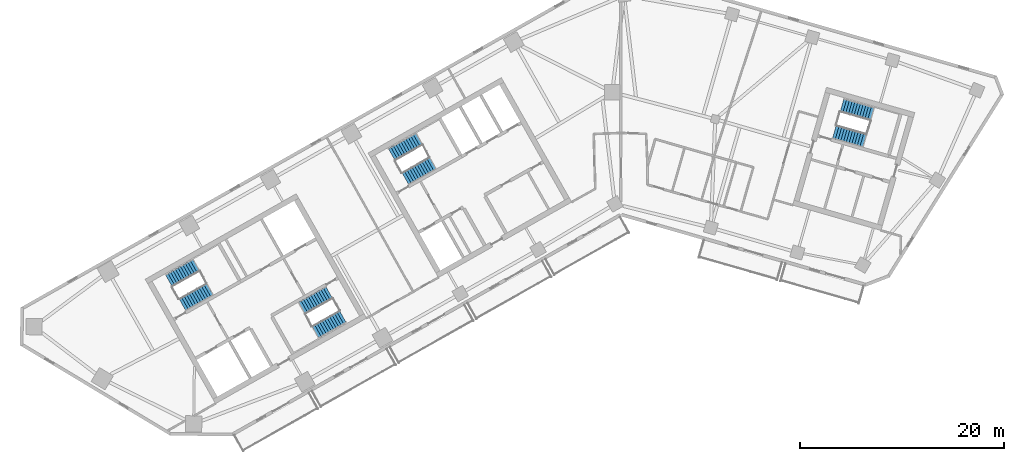
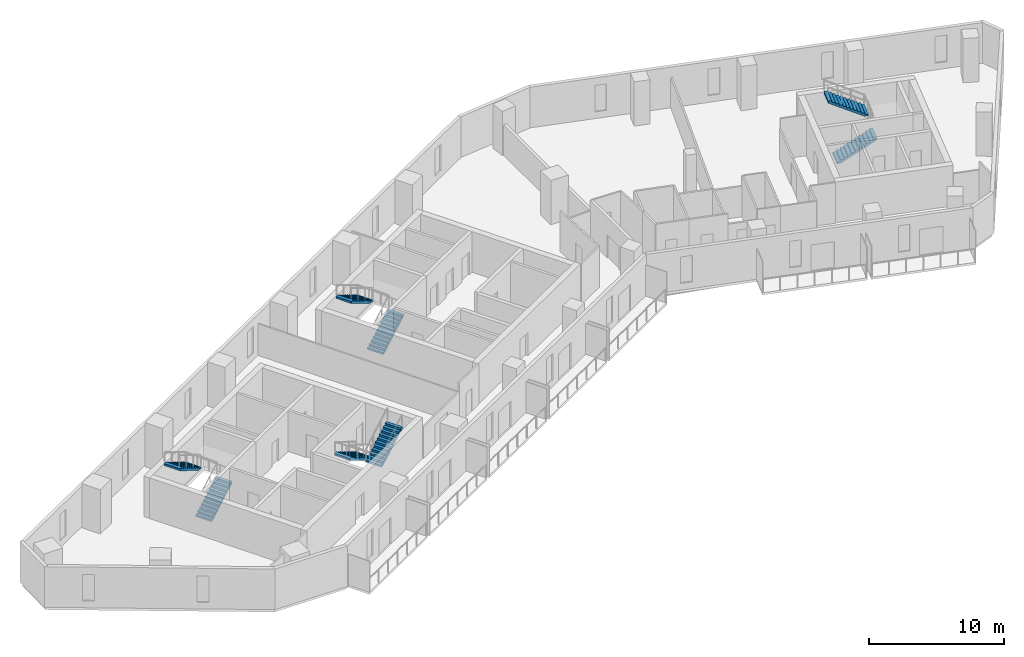
# One storey, part 7 of 9: 8 stair flights, 4 elements without a shape of their own.
"""IFC4 building model written with IfcOpenShell, lengths in metres."""

from ifc_helpers import new_model, si_unit, direction, frame, origin, place, context, subcontext, project, spatial, polyline, outline, extrude, material, type_object, element, aggregate, save


model = new_model("IFC4")

# Units and contexts
model_context = context("Model", 3, precision=1e-05, world=origin(), true_north=direction((0.0, 1.0)))
body_context = subcontext(model_context, "Body", "Model", "MODEL_VIEW")
ifc_project = project(units=[si_unit("LENGTHUNIT", "METRE"), si_unit("AREAUNIT", "SQUARE_METRE"), si_unit("VOLUMEUNIT", "CUBIC_METRE"), si_unit("PLANEANGLEUNIT", "RADIAN"), si_unit("MASSUNIT", "GRAM", prefix="KILO")], contexts=[model_context])

# Site, building, storey
site_placement = place(None, origin())
site = spatial("IfcSite", under=ifc_project, at=site_placement, CompositionType="ELEMENT")
building_placement = place(site_placement, origin())
building = spatial("IfcBuilding", under=site, at=building_placement, Name="Binnacle Exchange Tower", CompositionType="ELEMENT")
storey_placement = place(building_placement, frame((0.0, 0.0, 182.89990234375)))
storey = spatial("IfcBuildingStorey", under=building, at=storey_placement, Name="L39", CompositionType="ELEMENT", Elevation=182.89990234375)

# Stair, stair flights
ifc_material = material(Name="Concrete C35/45", Category="concrete")
stair_type = type_object("IfcStairType", Name="STAIR 24 RISERS 167", PredefinedType="HALF_TURN_STAIR", material=ifc_material)
stair_1_placement = place(storey_placement, origin())
stair_1 = element("IfcStair", 1, at=stair_1_placement, inside=storey, type_object=stair_type, Name="L39 Escape stair A1", PredefinedType="HALF_TURN_STAIR")
stair_flight_type = type_object("IfcStairFlightType", Name="STAIR FLIGHT 167X280", PredefinedType="STRAIGHT", material=ifc_material)
stair_flight_1_placement = place(storey_placement, frame((-42.9541015625, 39.17333984375, 0.0), z_axis=(0.0, 0.0, 1.0), x_axis=(0.870355584213, 0.492423757581, 0.0)))
stair_flight_1 = element("IfcStairFlight", 2, at=stair_flight_1_placement, type_object=stair_flight_type, Name="STA1 flight 1", NumberOfRisers=12, NumberOfTreads=11, PredefinedType="STRAIGHT", RiserHeight=0.166666667, TreadLength=0.28, context=body_context, shape_type="SweptSolid", body=[
    extrude(outline(polyline([(0.0, 0.0), (0.0, 0.166748046875), (0.280029296875, 0.166748046875), (0.280029296875, 0.333251953125), (0.56005859375, 0.333251953125), (0.56005859375, 0.5), (0.840087890625, 0.5), (0.840087890625, 0.666748046875), (1.1201171875, 0.666748046875), (1.1201171875, 0.833251953125), (1.39990234375, 0.833251953125), (1.39990234375, 1.0), (1.679931640625, 1.0), (1.679931640625, 1.166748046875), (1.9599609375, 1.166748046875), (1.9599609375, 1.333251953125), (2.239990234375, 1.333251953125), (2.239990234375, 1.5), (2.52001953125, 1.5), (2.52001953125, 1.666748046875), (2.800048828125, 1.666748046875), (2.800048828125, 1.833251953125), (3.080078125, 1.833251953125), (3.080078125, 2.0), (3.080078125, 1.658935546875), (0.29296875, 0.0), (0.0, 0.0)])), frame((0.0, 0.675048828125, 0.0), z_axis=(0.0, -1.0, 0.0), x_axis=(1.0, 0.0, 0.0)), (0.0, 0.0, 1.0), 1.35009765625),
])
stair_flight_2_placement = place(storey_placement, frame((-41.602783203125, 43.0400390625, 2.0), z_axis=(0.0, 0.0, 1.0), x_axis=(-0.870355584213, -0.492423757581, 0.0)))
stair_flight_2 = element("IfcStairFlight", 3, at=stair_flight_2_placement, type_object=stair_flight_type, Name="STA1 flight 2", NumberOfRisers=12, NumberOfTreads=11, PredefinedType="STRAIGHT", RiserHeight=0.166666667, TreadLength=0.28, context=body_context, shape_type="SweptSolid", body=[
    extrude(outline(polyline([(0.0, 0.0), (0.0, 0.166748046875), (0.280029296875, 0.166748046875), (0.280029296875, 0.333251953125), (0.56005859375, 0.333251953125), (0.56005859375, 0.5), (0.840087890625, 0.5), (0.840087890625, 0.666748046875), (1.1201171875, 0.666748046875), (1.1201171875, 0.833251953125), (1.39990234375, 0.833251953125), (1.39990234375, 1.0), (1.679931640625, 1.0), (1.679931640625, 1.166748046875), (1.9599609375, 1.166748046875), (1.9599609375, 1.333251953125), (2.239990234375, 1.333251953125), (2.239990234375, 1.5), (2.52001953125, 1.5), (2.52001953125, 1.666748046875), (2.800048828125, 1.666748046875), (2.800048828125, 1.833251953125), (3.080078125, 1.833251953125), (3.080078125, 2.0), (3.080078125, 1.658935546875), (0.29296875, 0.0), (0.0, 0.0)])), frame((0.0, 0.675048828125, 0.0), z_axis=(0.0, -1.0, 0.0), x_axis=(1.0, 0.0, 0.0)), (0.0, 0.0, 1.0), 1.35009765625),
])
aggregate(stair_1, [stair_flight_1, stair_flight_2])

stair_2_placement = place(storey_placement, origin())
stair_2 = element("IfcStair", 4, at=stair_2_placement, inside=storey, type_object=stair_type, Name="L39 Escape stair A2", PredefinedType="HALF_TURN_STAIR")
stair_flight_3_placement = place(storey_placement, frame((-28.5732421875, 40.3583984375, 0.0), z_axis=(0.0, 0.0, 1.0), x_axis=(-0.870355584213, -0.492423757581, 0.0)))
stair_flight_3 = element("IfcStairFlight", 5, at=stair_flight_3_placement, type_object=stair_flight_type, Name="STA2 flight 1", NumberOfRisers=12, NumberOfTreads=11, PredefinedType="STRAIGHT", RiserHeight=0.166666667, TreadLength=0.28, context=body_context, shape_type="SweptSolid", body=[
    extrude(outline(polyline([(0.0, 0.0), (0.0, 0.166748046875), (0.280029296875, 0.166748046875), (0.280029296875, 0.333251953125), (0.56005859375, 0.333251953125), (0.56005859375, 0.5), (0.840087890625, 0.5), (0.840087890625, 0.666748046875), (1.1201171875, 0.666748046875), (1.1201171875, 0.833251953125), (1.39990234375, 0.833251953125), (1.39990234375, 1.0), (1.679931640625, 1.0), (1.679931640625, 1.166748046875), (1.9599609375, 1.166748046875), (1.9599609375, 1.333251953125), (2.239990234375, 1.333251953125), (2.239990234375, 1.5), (2.52001953125, 1.5), (2.52001953125, 1.666748046875), (2.800048828125, 1.666748046875), (2.800048828125, 1.833251953125), (3.080078125, 1.833251953125), (3.080078125, 2.0), (3.080078125, 1.658935546875), (0.29296875, 0.0), (0.0, 0.0)])), frame((0.0, 0.675048828125, 0.0), z_axis=(0.0, -1.0, 0.0), x_axis=(1.0, 0.0, 0.0)), (0.0, 0.0, 1.0), 1.35009765625),
])
stair_flight_4_placement = place(storey_placement, frame((-29.92431640625, 36.49169921875, 2.0), z_axis=(0.0, 0.0, 1.0), x_axis=(0.870355584213, 0.492423757581, 0.0)))
stair_flight_4 = element("IfcStairFlight", 6, at=stair_flight_4_placement, type_object=stair_flight_type, Name="STA2 flight 2", NumberOfRisers=12, NumberOfTreads=11, PredefinedType="STRAIGHT", RiserHeight=0.166666667, TreadLength=0.28, context=body_context, shape_type="SweptSolid", body=[
    extrude(outline(polyline([(0.0, 0.0), (0.0, 0.166748046875), (0.280029296875, 0.166748046875), (0.280029296875, 0.333251953125), (0.56005859375, 0.333251953125), (0.56005859375, 0.5), (0.840087890625, 0.5), (0.840087890625, 0.666748046875), (1.1201171875, 0.666748046875), (1.1201171875, 0.833251953125), (1.39990234375, 0.833251953125), (1.39990234375, 1.0), (1.679931640625, 1.0), (1.679931640625, 1.166748046875), (1.9599609375, 1.166748046875), (1.9599609375, 1.333251953125), (2.239990234375, 1.333251953125), (2.239990234375, 1.5), (2.52001953125, 1.5), (2.52001953125, 1.666748046875), (2.800048828125, 1.666748046875), (2.800048828125, 1.833251953125), (3.080078125, 1.833251953125), (3.080078125, 2.0), (3.080078125, 1.658935546875), (0.29296875, 0.0), (0.0, 0.0)])), frame((0.0, 0.675048828125, 0.0), z_axis=(0.0, -1.0, 0.0), x_axis=(1.0, 0.0, 0.0)), (0.0, 0.0, 1.0), 1.35009765625),
])
aggregate(stair_2, [stair_flight_3, stair_flight_4])

stair_3_placement = place(storey_placement, origin())
stair_3 = element("IfcStair", 7, at=stair_3_placement, inside=storey, type_object=stair_type, Name="L39 Escape stair C1", PredefinedType="HALF_TURN_STAIR")
stair_flight_5_placement = place(storey_placement, frame((-21.115966796875, 51.528564453125, 0.0), z_axis=(0.0, 0.0, 1.0), x_axis=(0.870355584213, 0.492423757581, 0.0)))
stair_flight_5 = element("IfcStairFlight", 8, at=stair_flight_5_placement, type_object=stair_flight_type, Name="STC1 flight 1", NumberOfRisers=12, NumberOfTreads=11, PredefinedType="STRAIGHT", RiserHeight=0.166666667, TreadLength=0.28, context=body_context, shape_type="SweptSolid", body=[
    extrude(outline(polyline([(0.0, 0.0), (0.0, 0.166748046875), (0.280029296875, 0.166748046875), (0.280029296875, 0.333251953125), (0.56005859375, 0.333251953125), (0.56005859375, 0.5), (0.840087890625, 0.5), (0.840087890625, 0.666748046875), (1.1201171875, 0.666748046875), (1.1201171875, 0.833251953125), (1.39990234375, 0.833251953125), (1.39990234375, 1.0), (1.679931640625, 1.0), (1.679931640625, 1.166748046875), (1.9599609375, 1.166748046875), (1.9599609375, 1.333251953125), (2.239990234375, 1.333251953125), (2.239990234375, 1.5), (2.52001953125, 1.5), (2.52001953125, 1.666748046875), (2.800048828125, 1.666748046875), (2.800048828125, 1.833251953125), (3.080078125, 1.833251953125), (3.080078125, 2.0), (3.080078125, 1.658935546875), (0.29296875, 0.0), (0.0, 0.0)])), frame((0.0, 0.675048828125, 0.0), z_axis=(0.0, -1.0, 0.0), x_axis=(1.0, 0.0, 0.0)), (0.0, 0.0, 1.0), 1.35009765625),
])
stair_flight_6_placement = place(storey_placement, frame((-19.764892578125, 55.395263671875, 2.0), z_axis=(0.0, 0.0, 1.0), x_axis=(-0.870355584213, -0.492423757581, 0.0)))
stair_flight_6 = element("IfcStairFlight", 9, at=stair_flight_6_placement, type_object=stair_flight_type, Name="STC1 flight 2", NumberOfRisers=12, NumberOfTreads=11, PredefinedType="STRAIGHT", RiserHeight=0.166666667, TreadLength=0.28, context=body_context, shape_type="SweptSolid", body=[
    extrude(outline(polyline([(0.0, 0.0), (0.0, 0.166748046875), (0.280029296875, 0.166748046875), (0.280029296875, 0.333251953125), (0.56005859375, 0.333251953125), (0.56005859375, 0.5), (0.840087890625, 0.5), (0.840087890625, 0.666748046875), (1.1201171875, 0.666748046875), (1.1201171875, 0.833251953125), (1.39990234375, 0.833251953125), (1.39990234375, 1.0), (1.679931640625, 1.0), (1.679931640625, 1.166748046875), (1.9599609375, 1.166748046875), (1.9599609375, 1.333251953125), (2.239990234375, 1.333251953125), (2.239990234375, 1.5), (2.52001953125, 1.5), (2.52001953125, 1.666748046875), (2.800048828125, 1.666748046875), (2.800048828125, 1.833251953125), (3.080078125, 1.833251953125), (3.080078125, 2.0), (3.080078125, 1.658935546875), (0.29296875, 0.0), (0.0, 0.0)])), frame((0.0, 0.675048828125, 0.0), z_axis=(0.0, -1.0, 0.0), x_axis=(1.0, 0.0, 0.0)), (0.0, 0.0, 1.0), 1.35009765625),
])
aggregate(stair_3, [stair_flight_5, stair_flight_6])

stair_4_placement = place(storey_placement, origin())
stair_4 = element("IfcStair", 10, at=stair_4_placement, inside=storey, type_object=stair_type, Name="L39 Escape stair D1", PredefinedType="HALF_TURN_STAIR")
stair_flight_7_placement = place(storey_placement, frame((20.914306640625, 56.109619140625, 0.0), z_axis=(0.0, 0.0, 1.0), x_axis=(0.961261811397, -0.275636953165, 0.0)))
stair_flight_7 = element("IfcStairFlight", 11, at=stair_flight_7_placement, type_object=stair_flight_type, Name="STD1 flight 1", NumberOfRisers=12, NumberOfTreads=11, PredefinedType="STRAIGHT", RiserHeight=0.166666667, TreadLength=0.28, context=body_context, shape_type="SweptSolid", body=[
    extrude(outline(polyline([(0.0, 0.0), (0.0, 0.166748046875), (0.280029296875, 0.166748046875), (0.280029296875, 0.333251953125), (0.56005859375, 0.333251953125), (0.56005859375, 0.5), (0.840087890625, 0.5), (0.840087890625, 0.666748046875), (1.1201171875, 0.666748046875), (1.1201171875, 0.833251953125), (1.39990234375, 0.833251953125), (1.39990234375, 1.0), (1.679931640625, 1.0), (1.679931640625, 1.166748046875), (1.9599609375, 1.166748046875), (1.9599609375, 1.333251953125), (2.239990234375, 1.333251953125), (2.239990234375, 1.5), (2.52001953125, 1.5), (2.52001953125, 1.666748046875), (2.800048828125, 1.666748046875), (2.800048828125, 1.833251953125), (3.080078125, 1.833251953125), (3.080078125, 2.0), (3.080078125, 1.658935546875), (0.29296875, 0.0), (0.0, 0.0)])), frame((0.0, 0.675048828125, 0.0), z_axis=(0.0, -1.0, 0.0), x_axis=(1.0, 0.0, 0.0)), (0.0, 0.0, 1.0), 1.35009765625),
])
stair_flight_8_placement = place(storey_placement, frame((24.619384765625, 57.85595703125, 2.0), z_axis=(0.0, 0.0, 1.0), x_axis=(-0.961261811397, 0.275636953165, 0.0)))
stair_flight_8 = element("IfcStairFlight", 12, at=stair_flight_8_placement, type_object=stair_flight_type, Name="STD1 flight 2", NumberOfRisers=12, NumberOfTreads=11, PredefinedType="STRAIGHT", RiserHeight=0.166666667, TreadLength=0.28, context=body_context, shape_type="SweptSolid", body=[
    extrude(outline(polyline([(0.0, 0.0), (0.0, 0.166748046875), (0.280029296875, 0.166748046875), (0.280029296875, 0.333251953125), (0.56005859375, 0.333251953125), (0.56005859375, 0.5), (0.840087890625, 0.5), (0.840087890625, 0.666748046875), (1.1201171875, 0.666748046875), (1.1201171875, 0.833251953125), (1.39990234375, 0.833251953125), (1.39990234375, 1.0), (1.679931640625, 1.0), (1.679931640625, 1.166748046875), (1.9599609375, 1.166748046875), (1.9599609375, 1.333251953125), (2.239990234375, 1.333251953125), (2.239990234375, 1.5), (2.52001953125, 1.5), (2.52001953125, 1.666748046875), (2.800048828125, 1.666748046875), (2.800048828125, 1.833251953125), (3.080078125, 1.833251953125), (3.080078125, 2.0), (3.080078125, 1.658935546875), (0.29296875, 0.0), (0.0, 0.0)])), frame((0.0, 0.675048828125, 0.0), z_axis=(0.0, -1.0, 0.0), x_axis=(1.0, 0.0, 0.0)), (0.0, 0.0, 1.0), 1.35009765625),
])
aggregate(stair_4, [stair_flight_7, stair_flight_8])

save(model, "model.ifc")
